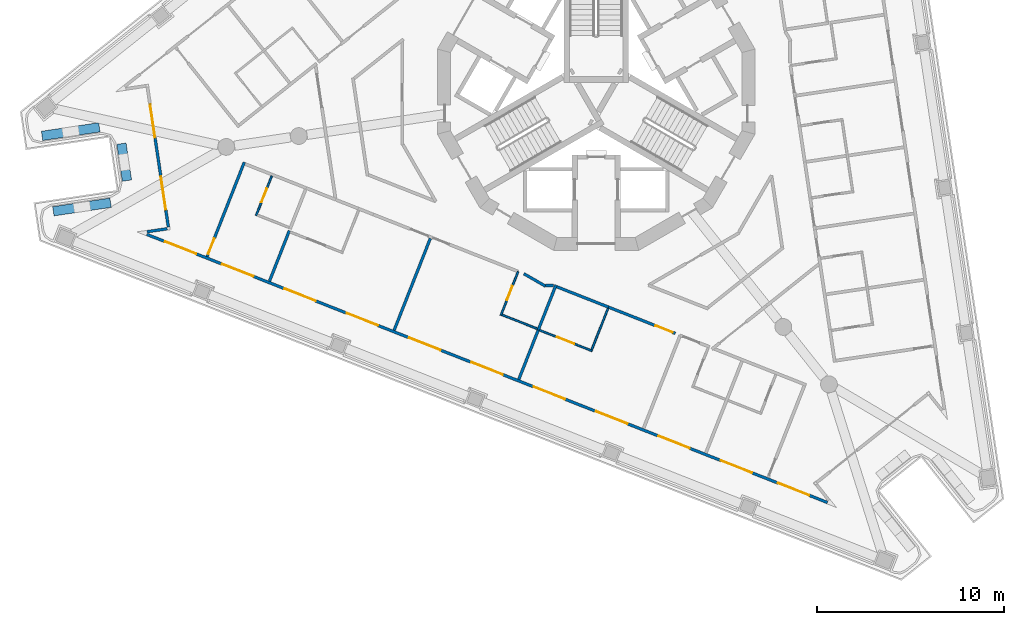
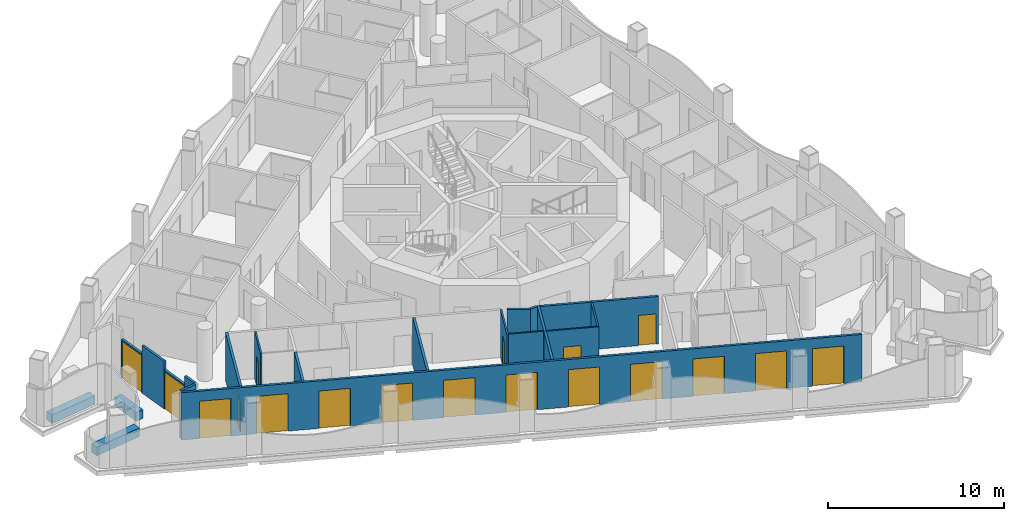
# One storey, part 2 of 16: 23 walls, 18 doors, 18 openings.
"""IFC4 building model written with IfcOpenShell, lengths in metres."""

from ifc_helpers import new_model, si_unit, direction, frame, frame_2d, origin, place, context, subcontext, project, spatial, polyline, rectangle, outline, extrude, material, layer, layer_set, type_object, element, fill, save


model = new_model("IFC4")

# Units and contexts
model_context = context("Model", 3, precision=1e-05, world=origin(), true_north=direction((0.0, 1.0)))
body_context = subcontext(model_context, "Body", "Model", "MODEL_VIEW")
ifc_project = project(units=[si_unit("LENGTHUNIT", "METRE"), si_unit("AREAUNIT", "SQUARE_METRE"), si_unit("VOLUMEUNIT", "CUBIC_METRE"), si_unit("PLANEANGLEUNIT", "RADIAN"), si_unit("MASSUNIT", "GRAM", prefix="KILO")], contexts=[model_context])

# Site, building, storey
site_placement = place(None, origin())
site = spatial("IfcSite", under=ifc_project, at=site_placement, CompositionType="ELEMENT")
building_placement = place(site_placement, origin())
building = spatial("IfcBuilding", under=site, at=building_placement, Name="Trine Commons Tower", CompositionType="ELEMENT")
storey_placement = place(building_placement, frame((0.0, 0.0, 223.199951171875)))
storey = spatial("IfcBuildingStorey", under=building, at=storey_placement, Name="L58", CompositionType="ELEMENT", Elevation=223.199951171875)

# Wall, openings, doors
ifc_material_1 = material(Name="Aluminium-framed insulated wall panel", Category="aluminium")
ifc_layer_1 = layer(ifc_material_1, 0.14990234375)
ifc_layer_set_1 = layer_set([ifc_layer_1], Name="Aluminium-framed insulated wall panel")
wall_type_1 = type_object("IfcWallType", Name="Glazed frame wall 150, EI 60", PredefinedType="SOLIDWALL", material=ifc_layer_set_1)
wall_1_placement = place(storey_placement, frame((92.513916015625, 40.4541015625, 0.0), z_axis=(0.0, 0.0, 1.0), x_axis=(-0.930417922313, 0.3665003272, 0.0)))
wall_1 = element("IfcWall", 1, at=wall_1_placement, inside=storey, type_object=wall_type_1, Name="Glazed frame wall F3", PredefinedType="SOLIDWALL", context=body_context, shape_type="SweptSolid", body=[
    extrude(outline(polyline([(0.1494140625, 0.074951171875), (0.1494140625, -0.074951171875), (39.296875, -0.074951171875), (39.296875, 0.074951171875), (0.1494140625, 0.074951171875)])), origin(), (0.0, 0.0, 1.0), 3.300048828125),
])
opening_1_placement = place(wall_1_placement, frame((1.193115234375, 0.0, 0.0)))
opening_1 = element("IfcOpeningElement", 2, at=opening_1_placement, cuts=wall_1, Name="Opening BD-6F3-01", PredefinedType="OPENING", context=body_context, shape_type="SweptSolid", body=[
    extrude(rectangle(XDim=1.800048828125, YDim=2.60009765625, at=frame_2d((0.89990234375, 1.300048828125))), frame((0.0, 0.0849609375, 0.0), z_axis=(0.0, -1.0, 0.0), x_axis=(1.0, 0.0, 0.0)), (0.0, 0.0, 1.0), 0.169921875),
])
opening_2_placement = place(wall_1_placement, frame((4.47900390625, 0.0, 0.0)))
opening_2 = element("IfcOpeningElement", 3, at=opening_2_placement, cuts=wall_1, Name="Opening BD-6F3-02", PredefinedType="OPENING", context=body_context, shape_type="SweptSolid", body=[
    extrude(rectangle(XDim=1.800048828125, YDim=2.60009765625, at=frame_2d((0.89990234375, 1.300048828125))), frame((0.0, 0.0849609375, 0.0), z_axis=(0.0, -1.0, 0.0), x_axis=(1.0, 0.0, 0.0)), (0.0, 0.0, 1.0), 0.169921875),
])
opening_3_placement = place(wall_1_placement, frame((8.06494140625, 0.0, 0.0)))
opening_3 = element("IfcOpeningElement", 4, at=opening_3_placement, cuts=wall_1, Name="Opening BD-6F3-03", PredefinedType="OPENING", context=body_context, shape_type="SweptSolid", body=[
    extrude(rectangle(XDim=1.800048828125, YDim=2.60009765625, at=frame_2d((0.89990234375, 1.300048828125))), frame((0.0, 0.0849609375, 0.0), z_axis=(0.0, -1.0, 0.0), x_axis=(1.0, 0.0, 0.0)), (0.0, 0.0, 1.0), 0.169921875),
])
opening_4_placement = place(wall_1_placement, frame((11.65087890625, 0.0, 0.0)))
opening_4 = element("IfcOpeningElement", 5, at=opening_4_placement, cuts=wall_1, Name="Opening BD-6F3-04", PredefinedType="OPENING", context=body_context, shape_type="SweptSolid", body=[
    extrude(rectangle(XDim=1.800048828125, YDim=2.60009765625, at=frame_2d((0.89990234375, 1.300048828125))), frame((0.0, 0.0849609375, 0.0), z_axis=(0.0, -1.0, 0.0), x_axis=(1.0, 0.0, 0.0)), (0.0, 0.0, 1.0), 0.169921875),
])
opening_5_placement = place(wall_1_placement, frame((15.237060546875, 0.0, 0.0)))
opening_5 = element("IfcOpeningElement", 6, at=opening_5_placement, cuts=wall_1, Name="Opening BD-6F3-05", PredefinedType="OPENING", context=body_context, shape_type="SweptSolid", body=[
    extrude(rectangle(XDim=1.800048828125, YDim=2.60009765625, at=frame_2d((0.89990234375, 1.300048828125))), frame((0.0, 0.0849609375, 0.0), z_axis=(0.0, -1.0, 0.0), x_axis=(1.0, 0.0, 0.0)), (0.0, 0.0, 1.0), 0.169921875),
])
opening_6_placement = place(wall_1_placement, frame((18.822998046875, 0.0, 0.0)))
opening_6 = element("IfcOpeningElement", 7, at=opening_6_placement, cuts=wall_1, Name="Opening BD-6F3-06", PredefinedType="OPENING", context=body_context, shape_type="SweptSolid", body=[
    extrude(rectangle(XDim=1.800048828125, YDim=2.60009765625, at=frame_2d((0.89990234375, 1.300048828125))), frame((0.0, 0.0849609375, 0.0), z_axis=(0.0, -1.0, 0.0), x_axis=(1.0, 0.0, 0.0)), (0.0, 0.0, 1.0), 0.169921875),
])
opening_7_placement = place(wall_1_placement, frame((22.408935546875, 0.0, 0.0)))
opening_7 = element("IfcOpeningElement", 8, at=opening_7_placement, cuts=wall_1, Name="Opening BD-6F3-07", PredefinedType="OPENING", context=body_context, shape_type="SweptSolid", body=[
    extrude(rectangle(XDim=1.800048828125, YDim=2.60009765625, at=frame_2d((0.89990234375, 1.300048828125))), frame((0.0, 0.0849609375, 0.0), z_axis=(0.0, -1.0, 0.0), x_axis=(1.0, 0.0, 0.0)), (0.0, 0.0, 1.0), 0.169921875),
])
opening_8_placement = place(wall_1_placement, frame((25.9951171875, 0.0, 0.0)))
opening_8 = element("IfcOpeningElement", 9, at=opening_8_placement, cuts=wall_1, Name="Opening BD-6F3-08", PredefinedType="OPENING", context=body_context, shape_type="SweptSolid", body=[
    extrude(rectangle(XDim=1.800048828125, YDim=2.60009765625, at=frame_2d((0.89990234375, 1.300048828125))), frame((0.0, 0.0849609375, 0.0), z_axis=(0.0, -1.0, 0.0), x_axis=(1.0, 0.0, 0.0)), (0.0, 0.0, 1.0), 0.169921875),
])
opening_9_placement = place(wall_1_placement, frame((29.5810546875, 0.0, 0.0)))
opening_9 = element("IfcOpeningElement", 10, at=opening_9_placement, cuts=wall_1, Name="Opening BD-6F3-09", PredefinedType="OPENING", context=body_context, shape_type="SweptSolid", body=[
    extrude(rectangle(XDim=1.800048828125, YDim=2.60009765625, at=frame_2d((0.89990234375, 1.300048828125))), frame((0.0, 0.0849609375, 0.0), z_axis=(0.0, -1.0, 0.0), x_axis=(1.0, 0.0, 0.0)), (0.0, 0.0, 1.0), 0.169921875),
])
opening_10_placement = place(wall_1_placement, frame((33.1669921875, 0.0, 0.0)))
opening_10 = element("IfcOpeningElement", 11, at=opening_10_placement, cuts=wall_1, Name="Opening BD-6F3-10", PredefinedType="OPENING", context=body_context, shape_type="SweptSolid", body=[
    extrude(rectangle(XDim=1.800048828125, YDim=2.60009765625, at=frame_2d((0.89990234375, 1.300048828125))), frame((0.0, 0.0849609375, 0.0), z_axis=(0.0, -1.0, 0.0), x_axis=(1.0, 0.0, 0.0)), (0.0, 0.0, 1.0), 0.169921875),
])
opening_11_placement = place(wall_1_placement, frame((36.452880859375, 0.0, 0.0)))
opening_11 = element("IfcOpeningElement", 12, at=opening_11_placement, cuts=wall_1, Name="Opening BD-6F3-11", PredefinedType="OPENING", context=body_context, shape_type="SweptSolid", body=[
    extrude(rectangle(XDim=1.800048828125, YDim=2.60009765625, at=frame_2d((0.89990234375, 1.300048828125))), frame((0.0, 0.0849609375, 0.0), z_axis=(0.0, -1.0, 0.0), x_axis=(1.0, 0.0, 0.0)), (0.0, 0.0, 1.0), 0.169921875),
])
ifc_material_2 = material(Name="Anodised aluminium frame with double glazing", Category="aluminium")
door_type_1 = type_object("IfcDoorType", Name="Sliding loggia door 1800x2600", OperationType="SLIDING_TO_LEFT", PredefinedType="DOOR", material=ifc_material_2)
door_1_placement = place(opening_1_placement, origin())
door_1 = element("IfcDoor", 13, at=door_1_placement, inside=storey, type_object=door_type_1, Name="Loggia door F3 1", OperationType="SLIDING_TO_LEFT", OverallHeight=2.60009765625, OverallWidth=1.800048828125, PredefinedType="DOOR", context=body_context, shape_type="SweptSolid", body=[
    extrude(rectangle(XDim=1.800048828125, YDim=2.60009765625, at=frame_2d((0.89990234375, 1.300048828125))), frame((0.0, 0.02490234375, 0.0), z_axis=(0.0, -1.0, 0.0), x_axis=(1.0, 0.0, 0.0)), (0.0, 0.0, 1.0), 0.050048828125),
])
fill(opening_1, door_1)
door_2_placement = place(opening_2_placement, origin())
door_2 = element("IfcDoor", 14, at=door_2_placement, inside=storey, type_object=door_type_1, Name="Loggia door F3 2", OperationType="SLIDING_TO_LEFT", OverallHeight=2.60009765625, OverallWidth=1.800048828125, PredefinedType="DOOR", context=body_context, shape_type="SweptSolid", body=[
    extrude(rectangle(XDim=1.800048828125, YDim=2.60009765625, at=frame_2d((0.89990234375, 1.300048828125))), frame((0.0, 0.02490234375, 0.0), z_axis=(0.0, -1.0, 0.0), x_axis=(1.0, 0.0, 0.0)), (0.0, 0.0, 1.0), 0.050048828125),
])
fill(opening_2, door_2)
door_3_placement = place(opening_3_placement, origin())
door_3 = element("IfcDoor", 15, at=door_3_placement, inside=storey, type_object=door_type_1, Name="Loggia door F3 3", OperationType="SLIDING_TO_LEFT", OverallHeight=2.60009765625, OverallWidth=1.800048828125, PredefinedType="DOOR", context=body_context, shape_type="SweptSolid", body=[
    extrude(rectangle(XDim=1.800048828125, YDim=2.60009765625, at=frame_2d((0.89990234375, 1.300048828125))), frame((0.0, 0.02490234375, 0.0), z_axis=(0.0, -1.0, 0.0), x_axis=(1.0, 0.0, 0.0)), (0.0, 0.0, 1.0), 0.050048828125),
])
fill(opening_3, door_3)
door_4_placement = place(opening_4_placement, origin())
door_4 = element("IfcDoor", 16, at=door_4_placement, inside=storey, type_object=door_type_1, Name="Loggia door F3 4", OperationType="SLIDING_TO_LEFT", OverallHeight=2.60009765625, OverallWidth=1.800048828125, PredefinedType="DOOR", context=body_context, shape_type="SweptSolid", body=[
    extrude(rectangle(XDim=1.800048828125, YDim=2.60009765625, at=frame_2d((0.89990234375, 1.300048828125))), frame((0.0, 0.02490234375, 0.0), z_axis=(0.0, -1.0, 0.0), x_axis=(1.0, 0.0, 0.0)), (0.0, 0.0, 1.0), 0.050048828125),
])
fill(opening_4, door_4)
door_5_placement = place(opening_5_placement, origin())
door_5 = element("IfcDoor", 17, at=door_5_placement, inside=storey, type_object=door_type_1, Name="Loggia door F3 5", OperationType="SLIDING_TO_LEFT", OverallHeight=2.60009765625, OverallWidth=1.800048828125, PredefinedType="DOOR", context=body_context, shape_type="SweptSolid", body=[
    extrude(rectangle(XDim=1.800048828125, YDim=2.60009765625, at=frame_2d((0.89990234375, 1.300048828125))), frame((0.0, 0.02490234375, 0.0), z_axis=(0.0, -1.0, 0.0), x_axis=(1.0, 0.0, 0.0)), (0.0, 0.0, 1.0), 0.050048828125),
])
fill(opening_5, door_5)
door_6_placement = place(opening_6_placement, origin())
door_6 = element("IfcDoor", 18, at=door_6_placement, inside=storey, type_object=door_type_1, Name="Loggia door F3 6", OperationType="SLIDING_TO_LEFT", OverallHeight=2.60009765625, OverallWidth=1.800048828125, PredefinedType="DOOR", context=body_context, shape_type="SweptSolid", body=[
    extrude(rectangle(XDim=1.800048828125, YDim=2.60009765625, at=frame_2d((0.89990234375, 1.300048828125))), frame((0.0, 0.02490234375, 0.0), z_axis=(0.0, -1.0, 0.0), x_axis=(1.0, 0.0, 0.0)), (0.0, 0.0, 1.0), 0.050048828125),
])
fill(opening_6, door_6)
door_7_placement = place(opening_7_placement, origin())
door_7 = element("IfcDoor", 19, at=door_7_placement, inside=storey, type_object=door_type_1, Name="Loggia door F3 7", OperationType="SLIDING_TO_LEFT", OverallHeight=2.60009765625, OverallWidth=1.800048828125, PredefinedType="DOOR", context=body_context, shape_type="SweptSolid", body=[
    extrude(rectangle(XDim=1.800048828125, YDim=2.60009765625, at=frame_2d((0.89990234375, 1.300048828125))), frame((0.0, 0.02490234375, 0.0), z_axis=(0.0, -1.0, 0.0), x_axis=(1.0, 0.0, 0.0)), (0.0, 0.0, 1.0), 0.050048828125),
])
fill(opening_7, door_7)
door_8_placement = place(opening_8_placement, origin())
door_8 = element("IfcDoor", 20, at=door_8_placement, inside=storey, type_object=door_type_1, Name="Loggia door F3 8", OperationType="SLIDING_TO_LEFT", OverallHeight=2.60009765625, OverallWidth=1.800048828125, PredefinedType="DOOR", context=body_context, shape_type="SweptSolid", body=[
    extrude(rectangle(XDim=1.800048828125, YDim=2.60009765625, at=frame_2d((0.89990234375, 1.300048828125))), frame((0.0, 0.02490234375, 0.0), z_axis=(0.0, -1.0, 0.0), x_axis=(1.0, 0.0, 0.0)), (0.0, 0.0, 1.0), 0.050048828125),
])
fill(opening_8, door_8)
door_9_placement = place(opening_9_placement, origin())
door_9 = element("IfcDoor", 21, at=door_9_placement, inside=storey, type_object=door_type_1, Name="Loggia door F3 9", OperationType="SLIDING_TO_LEFT", OverallHeight=2.60009765625, OverallWidth=1.800048828125, PredefinedType="DOOR", context=body_context, shape_type="SweptSolid", body=[
    extrude(rectangle(XDim=1.800048828125, YDim=2.60009765625, at=frame_2d((0.89990234375, 1.300048828125))), frame((0.0, 0.02490234375, 0.0), z_axis=(0.0, -1.0, 0.0), x_axis=(1.0, 0.0, 0.0)), (0.0, 0.0, 1.0), 0.050048828125),
])
fill(opening_9, door_9)
door_10_placement = place(opening_10_placement, origin())
door_10 = element("IfcDoor", 22, at=door_10_placement, inside=storey, type_object=door_type_1, Name="Loggia door F3 10", OperationType="SLIDING_TO_LEFT", OverallHeight=2.60009765625, OverallWidth=1.800048828125, PredefinedType="DOOR", context=body_context, shape_type="SweptSolid", body=[
    extrude(rectangle(XDim=1.800048828125, YDim=2.60009765625, at=frame_2d((0.89990234375, 1.300048828125))), frame((0.0, 0.02490234375, 0.0), z_axis=(0.0, -1.0, 0.0), x_axis=(1.0, 0.0, 0.0)), (0.0, 0.0, 1.0), 0.050048828125),
])
fill(opening_10, door_10)
door_11_placement = place(opening_11_placement, origin())
door_11 = element("IfcDoor", 23, at=door_11_placement, inside=storey, type_object=door_type_1, Name="Loggia door F3 11", OperationType="SLIDING_TO_LEFT", OverallHeight=2.60009765625, OverallWidth=1.800048828125, PredefinedType="DOOR", context=body_context, shape_type="SweptSolid", body=[
    extrude(rectangle(XDim=1.800048828125, YDim=2.60009765625, at=frame_2d((0.89990234375, 1.300048828125))), frame((0.0, 0.02490234375, 0.0), z_axis=(0.0, -1.0, 0.0), x_axis=(1.0, 0.0, 0.0)), (0.0, 0.0, 1.0), 0.050048828125),
])
fill(opening_11, door_11)

# Walls
wall_2_placement = place(storey_placement, frame((55.8203125, 54.978515625, 0.0), z_axis=(0.0, 0.0, 1.0), x_axis=(0.98902141065, 0.147772288596, 0.0)))
element("IfcWall", 24, at=wall_2_placement, inside=storey, type_object=wall_type_1, Name="Glazed frame wall R10", PredefinedType="SOLIDWALL", context=body_context, shape_type="SweptSolid", body=[
    extrude(outline(polyline([(0.1494140625, 0.074951171875), (0.1494140625, -0.074951171875), (1.235107421875, -0.074951171875), (1.235107421875, 0.074951171875), (0.1494140625, 0.074951171875)])), origin(), (0.0, 0.0, 1.0), 3.300048828125),
])
wall_3_placement = place(storey_placement, frame((57.12109375, 55.137451171875, 0.0), z_axis=(0.0, 0.0, 1.0), x_axis=(-0.147946480694, 0.988995368468, 0.0)))
element("IfcWall", 25, at=wall_3_placement, inside=storey, type_object=wall_type_1, Name="Glazed frame wall P3.1", PredefinedType="SOLIDWALL", context=body_context, shape_type="SweptSolid", body=[
    extrude(outline(polyline([(0.110107421875, -0.074951171875), (1.0, -0.074951171875), (1.0, 0.074951171875), (0.110107421875, 0.074951171875), (0.110107421875, -0.074951171875)])), origin(), (0.0, 0.0, 1.0), 3.300048828125),
])

# Wall, opening, door
wall_4_placement = place(storey_placement, frame((56.97314453125, 56.12646484375, 0.0), z_axis=(0.0, 0.0, 1.0), x_axis=(-0.147768643441, 0.989021955275, 0.0)))
wall_4 = element("IfcWall", 26, at=wall_4_placement, inside=storey, type_object=wall_type_1, Name="Glazed frame wall P3.2", PredefinedType="SOLIDWALL", context=body_context, shape_type="SweptSolid", body=[
    extrude(outline(polyline([(0.0, -0.074951171875), (1.89990234375, -0.074951171875), (1.89990234375, 0.074951171875), (0.0, 0.074951171875), (0.0, -0.074951171875)])), origin(), (0.0, 0.0, 1.0), 2.699951171875),
])
opening_12_placement = place(wall_4_placement, frame((0.050048828125, 0.0, 0.0)))
opening_12 = element("IfcOpeningElement", 27, at=opening_12_placement, cuts=wall_4, Name="Opening BD-6P3-01", PredefinedType="OPENING", context=body_context, shape_type="SweptSolid", body=[
    extrude(rectangle(XDim=1.800048828125, YDim=2.60009765625, at=frame_2d((0.89990234375, 1.300048828125))), frame((0.0, 0.0849609375, 0.0), z_axis=(0.0, -1.0, 0.0), x_axis=(1.0, 0.0, 0.0)), (0.0, 0.0, 1.0), 0.169921875),
])
door_12_placement = place(opening_12_placement, origin())
door_12 = element("IfcDoor", 28, at=door_12_placement, inside=storey, type_object=door_type_1, Name="Loggia door P3 1", OperationType="SLIDING_TO_LEFT", OverallHeight=2.60009765625, OverallWidth=1.800048828125, PredefinedType="DOOR", context=body_context, shape_type="SweptSolid", body=[
    extrude(rectangle(XDim=1.800048828125, YDim=2.60009765625, at=frame_2d((0.89990234375, 1.300048828125))), frame((0.0, 0.02490234375, 0.0), z_axis=(0.0, -1.0, 0.0), x_axis=(1.0, 0.0, 0.0)), (0.0, 0.0, 1.0), 0.050048828125),
])
fill(opening_12, door_12)

# Wall
wall_5_placement = place(storey_placement, frame((56.6923828125, 58.005615234375, 0.0), z_axis=(0.0, 0.0, 1.0), x_axis=(-0.147827081252, 0.989013222383, 0.0)))
element("IfcWall", 29, at=wall_5_placement, inside=storey, type_object=wall_type_1, Name="Glazed frame wall P3.3", PredefinedType="SOLIDWALL", context=body_context, shape_type="SweptSolid", body=[
    extrude(outline(polyline([(0.0, -0.074951171875), (2.0, -0.074951171875), (2.0, 0.074951171875), (0.0, 0.074951171875), (0.0, -0.074951171875)])), origin(), (0.0, 0.0, 1.0), 3.300048828125),
])

# Wall, opening, door
wall_6_placement = place(storey_placement, frame((56.396728515625, 59.983642578125, 0.0), z_axis=(0.0, 0.0, 1.0), x_axis=(-0.147768643441, 0.989021955275, 0.0)))
wall_6 = element("IfcWall", 30, at=wall_6_placement, inside=storey, type_object=wall_type_1, Name="Glazed frame wall P3.4", PredefinedType="SOLIDWALL", context=body_context, shape_type="SweptSolid", body=[
    extrude(outline(polyline([(0.0, -0.074951171875), (1.89990234375, -0.074951171875), (1.89990234375, 0.074951171875), (0.0, 0.074951171875), (0.0, -0.074951171875)])), origin(), (0.0, 0.0, 1.0), 2.699951171875),
])
opening_13_placement = place(wall_6_placement, frame((0.050048828125, 0.0, 0.0)))
opening_13 = element("IfcOpeningElement", 31, at=opening_13_placement, cuts=wall_6, Name="Opening BD-6P3-02", PredefinedType="OPENING", context=body_context, shape_type="SweptSolid", body=[
    extrude(rectangle(XDim=1.800048828125, YDim=2.60009765625, at=frame_2d((0.89990234375, 1.300048828125))), frame((0.0, 0.0849609375, 0.0), z_axis=(0.0, -1.0, 0.0), x_axis=(1.0, 0.0, 0.0)), (0.0, 0.0, 1.0), 0.169921875),
])
door_13_placement = place(opening_13_placement, origin())
door_13 = element("IfcDoor", 32, at=door_13_placement, inside=storey, type_object=door_type_1, Name="Loggia door P3 2", OperationType="SLIDING_TO_LEFT", OverallHeight=2.60009765625, OverallWidth=1.800048828125, PredefinedType="DOOR", context=body_context, shape_type="SweptSolid", body=[
    extrude(rectangle(XDim=1.800048828125, YDim=2.60009765625, at=frame_2d((0.89990234375, 1.300048828125))), frame((0.0, 0.02490234375, 0.0), z_axis=(0.0, -1.0, 0.0), x_axis=(1.0, 0.0, 0.0)), (0.0, 0.0, 1.0), 0.050048828125),
])
fill(opening_13, door_13)

# Walls
ifc_material_3 = material(Name="Planter trough, precast concrete C40/50", Category="concrete")
ifc_layer_2 = layer(ifc_material_3, 0.5)
ifc_layer_set_2 = layer_set([ifc_layer_2], Name="Planter trough, precast concrete C40/50")
wall_type_2 = type_object("IfcWallType", Name="Planter trough 500x600", PredefinedType="PARAPET", material=ifc_layer_set_2)
wall_7_placement = place(storey_placement, frame((50.94677734375, 56.09521484375, 0.0), z_axis=(0.0, 0.0, 1.0), x_axis=(0.989011904818, 0.147835895942, 0.0)))
element("IfcWall", 33, at=wall_7_placement, inside=storey, type_object=wall_type_2, Name="Planter 1", PredefinedType="PARAPET", context=body_context, shape_type="SweptSolid", body=[
    extrude(rectangle(XDim=3.099853515625, YDim=0.5, at=frame_2d((1.5498046875, 0.0))), origin(), (0.0, 0.0, 1.0), 0.60009765625),
])
wall_8_placement = place(storey_placement, frame((54.887451171875, 57.73583984375, 0.0), z_axis=(0.0, 0.0, 1.0), x_axis=(-0.147827081252, 0.989013222383, 0.0)))
element("IfcWall", 34, at=wall_8_placement, inside=storey, type_object=wall_type_2, Name="Planter 2", PredefinedType="PARAPET", context=body_context, shape_type="SweptSolid", body=[
    extrude(rectangle(XDim=2.0, YDim=0.5, at=frame_2d((1.0, 0.0))), origin(), (0.0, 0.0, 1.0), 0.60009765625),
])
wall_9_placement = place(storey_placement, frame((53.409423828125, 60.588623046875, 0.0), z_axis=(0.0, 0.0, 1.0), x_axis=(-0.989013625991, -0.147824380951, 0.0)))
element("IfcWall", 35, at=wall_9_placement, inside=storey, type_object=wall_type_2, Name="Planter 3", PredefinedType="PARAPET", context=body_context, shape_type="SweptSolid", body=[
    extrude(rectangle(XDim=3.099853515625, YDim=0.5, at=frame_2d((1.5498046875, 0.0))), origin(), (0.0, 0.0, 1.0), 0.60009765625),
])

# Wall, opening, door
ifc_material_4 = material(Name="Gypsum plasterboard on steel stud", Category="steel")
ifc_layer_3 = layer(ifc_material_4, 0.14990234375)
ifc_layer_set_3 = layer_set([ifc_layer_3], Name="Gypsum plasterboard on steel stud")
wall_type_3 = type_object("IfcWallType", Name="Unit and corridor wall 150 mm, EI 60", PredefinedType="PARTITIONING", material=ifc_layer_set_3)
wall_10_placement = place(storey_placement, frame((59.1767578125, 53.666259765625, 0.0), z_axis=(0.0, 0.0, 1.0), x_axis=(0.366413764384, 0.930452015565, 0.0)))
wall_10 = element("IfcWall", 36, at=wall_10_placement, inside=storey, type_object=wall_type_3, Name="Partition 002", PredefinedType="PARTITIONING", context=body_context, shape_type="SweptSolid", body=[
    extrude(rectangle(XDim=5.435546875, YDim=0.14990234375, at=frame_2d((2.7177734375, 0.0))), origin(), (0.0, 0.0, 1.0), 3.300048828125),
])
opening_14_placement = place(wall_10_placement, frame((0.14990234375, 0.0, 0.0)))
opening_14 = element("IfcOpeningElement", 37, at=opening_14_placement, cuts=wall_10, Name="Opening D-6C25", PredefinedType="OPENING", context=body_context, shape_type="SweptSolid", body=[
    extrude(rectangle(XDim=0.89990234375, YDim=2.10009765625, at=frame_2d((0.449951171875, 1.050048828125))), frame((0.0, 0.0849609375, 0.0), z_axis=(0.0, -1.0, 0.0), x_axis=(1.0, 0.0, 0.0)), (0.0, 0.0, 1.0), 0.169921875),
])
ifc_material_5 = material(Name="Timber fire door set", Category="wood")
door_type_2 = type_object("IfcDoorType", Name="Bedroom door 900 x 2100, FD30S", OperationType="NOTDEFINED", PredefinedType="DOOR", material=ifc_material_5)
door_14_placement = place(opening_14_placement, frame((0.89990234375, 0.0, 0.0), z_axis=(0.0, 0.0, 1.0), x_axis=(-1.0, 0.0, 0.0)))
door_14 = element("IfcDoor", 38, at=door_14_placement, inside=storey, type_object=door_type_2, Name="Door D-6C25", OperationType="SINGLE_SWING_RIGHT", OverallHeight=2.10009765625, OverallWidth=0.89990234375, PredefinedType="DOOR", context=body_context, shape_type="SweptSolid", body=[
    extrude(rectangle(XDim=0.89990234375, YDim=2.10009765625, at=frame_2d((0.449951171875, 1.050048828125))), frame((0.0, 0.02490234375, 0.0), z_axis=(0.0, -1.0, 0.0), x_axis=(1.0, 0.0, 0.0)), (0.0, 0.0, 1.0), 0.050048828125),
])
fill(opening_14, door_14)

# Walls
wall_11_placement = place(storey_placement, frame((62.513671875, 52.352294921875, 0.0), z_axis=(0.0, 0.0, 1.0), x_axis=(0.366277970919, 0.930505479844, 0.0)))
element("IfcWall", 39, at=wall_11_placement, inside=storey, type_object=wall_type_3, Name="Partition 011", PredefinedType="PARTITIONING", context=body_context, shape_type="SweptSolid", body=[
    extrude(rectangle(XDim=2.909423828125, YDim=0.14990234375, at=frame_2d((1.45458984375, 0.0))), origin(), (0.0, 0.0, 1.0), 3.300048828125),
])
wall_12_placement = place(storey_placement, frame((69.185791015625, 49.72412109375, 0.0), z_axis=(0.0, 0.0, 1.0), x_axis=(0.366646905319, 0.930360170482, 0.0)))
element("IfcWall", 40, at=wall_12_placement, inside=storey, type_object=wall_type_3, Name="Partition 030", PredefinedType="PARTITIONING", context=body_context, shape_type="SweptSolid", body=[
    extrude(rectangle(XDim=5.28515625, YDim=0.14990234375, at=frame_2d((2.642578125, 0.0))), origin(), (0.0, 0.0, 1.0), 3.300048828125),
])
wall_13_placement = place(storey_placement, frame((75.858642578125, 47.09521484375, 0.0), z_axis=(0.0, 0.0, 1.0), x_axis=(0.366568536594, 0.930391051107, 0.0)))
element("IfcWall", 41, at=wall_13_placement, inside=storey, type_object=wall_type_3, Name="Partition 040", PredefinedType="PARTITIONING", context=body_context, shape_type="SweptSolid", body=[
    extrude(rectangle(XDim=2.909912109375, YDim=0.14990234375, at=frame_2d((1.455078125, 0.0))), origin(), (0.0, 0.0, 1.0), 3.300048828125),
])
wall_14_placement = place(storey_placement, frame((76.131103515625, 52.75390625, 0.0), z_axis=(0.0, 0.0, 1.0), x_axis=(0.865910926182, -0.500198228624, 0.0)))
element("IfcWall", 42, at=wall_14_placement, inside=storey, type_object=wall_type_3, Name="Partition 041", PredefinedType="PARTITIONING", context=body_context, shape_type="SweptSolid", body=[
    extrude(rectangle(XDim=1.33251953125, YDim=0.14990234375, at=frame_2d((0.666259765625, 0.0))), origin(), (0.0, 0.0, 1.0), 3.300048828125),
])
wall_15_placement = place(storey_placement, frame((76.896728515625, 49.73046875, 0.0), z_axis=(0.0, 0.0, 1.0), x_axis=(0.366841902322, 0.930283300238, 0.0)))
element("IfcWall", 43, at=wall_15_placement, inside=storey, type_object=wall_type_3, Name="Partition 043", PredefinedType="PARTITIONING", context=body_context, shape_type="SweptSolid", body=[
    extrude(rectangle(XDim=2.602783203125, YDim=0.14990234375, at=frame_2d((1.30126953125, 0.0))), origin(), (0.0, 0.0, 1.0), 3.300048828125),
])
wall_16_placement = place(storey_placement, frame((77.294921875, 52.125, 0.0), z_axis=(0.0, 0.0, 1.0), x_axis=(1.0, 0.0, 0.0)))
element("IfcWall", 44, at=wall_16_placement, inside=storey, type_object=wall_type_3, Name="Partition 045", PredefinedType="PARTITIONING", context=body_context, shape_type="SweptSolid", body=[
    extrude(rectangle(XDim=0.43212890625, YDim=0.14990234375, at=frame_2d((0.216064453125, 0.0))), origin(), (0.0, 0.0, 1.0), 3.300048828125),
])
wall_17_placement = place(storey_placement, frame((77.890869140625, 52.056396484375, 0.0), z_axis=(0.0, 0.0, 1.0), x_axis=(0.930473535622, -0.366359112767, 0.0)))
element("IfcWall", 45, at=wall_17_placement, inside=storey, type_object=wall_type_3, Name="Partition 049", PredefinedType="PARTITIONING", context=body_context, shape_type="SweptSolid", body=[
    extrude(rectangle(XDim=2.9814453125, YDim=0.14990234375, at=frame_2d((1.49072265625, 0.0))), origin(), (0.0, 0.0, 1.0), 3.300048828125),
])

# Wall, opening, door
wall_18_placement = place(storey_placement, frame((80.611572265625, 50.9853515625, 0.0), z_axis=(0.0, 0.0, 1.0), x_axis=(0.930335237283, -0.366710166574, 0.0)))
wall_18 = element("IfcWall", 46, at=wall_18_placement, inside=storey, type_object=wall_type_3, Name="Partition 055", PredefinedType="PARTITIONING", context=body_context, shape_type="SweptSolid", body=[
    extrude(rectangle(XDim=3.89794921875, YDim=0.14990234375, at=frame_2d((1.948974609375, 0.0))), origin(), (0.0, 0.0, 1.0), 3.300048828125),
])
opening_15_placement = place(wall_18_placement, frame((2.748046875, 0.0, 0.0)))
opening_15 = element("IfcOpeningElement", 47, at=opening_15_placement, cuts=wall_18, Name="Opening D-6C22", PredefinedType="OPENING", context=body_context, shape_type="SweptSolid", body=[
    extrude(rectangle(XDim=1.0, YDim=2.10009765625, at=frame_2d((0.5, 1.050048828125))), frame((0.0, 0.0849609375, 0.0), z_axis=(0.0, -1.0, 0.0), x_axis=(1.0, 0.0, 0.0)), (0.0, 0.0, 1.0), 0.169921875),
])
door_type_3 = type_object("IfcDoorType", Name="Bedroom door 1000 x 2100, FD30S", OperationType="NOTDEFINED", PredefinedType="DOOR", material=ifc_material_5)
door_15_placement = place(opening_15_placement, frame((1.0, 0.0, 0.0), z_axis=(0.0, 0.0, 1.0), x_axis=(-1.0, 0.0, 0.0)))
door_15 = element("IfcDoor", 48, at=door_15_placement, inside=storey, type_object=door_type_3, Name="Door D-6C22", OperationType="SINGLE_SWING_LEFT", OverallHeight=2.10009765625, OverallWidth=1.0, PredefinedType="DOOR", context=body_context, shape_type="SweptSolid", body=[
    extrude(rectangle(XDim=1.0, YDim=2.10009765625, at=frame_2d((0.5, 1.050048828125))), frame((0.0, 0.02490234375, 0.0), z_axis=(0.0, -1.0, 0.0), x_axis=(1.0, 0.0, 0.0)), (0.0, 0.0, 1.0), 0.050048828125),
])
fill(opening_15, door_15)

ifc_layer_4 = layer(ifc_material_4, 0.10009765625)
ifc_layer_set_4 = layer_set([ifc_layer_4], Name="Gypsum plasterboard on steel stud")
wall_type_4 = type_object("IfcWallType", Name="Unit partition 100 mm, no rating", PredefinedType="PARTITIONING", material=ifc_layer_set_4)
wall_19_placement = place(storey_placement, frame((61.8017578125, 55.867431640625, 0.0), z_axis=(0.0, 0.0, 1.0), x_axis=(0.366482291334, 0.930425026608, 0.0)))
wall_19 = element("IfcWall", 49, at=wall_19_placement, inside=storey, type_object=wall_type_4, Name="Partition 008", PredefinedType="PARTITIONING", context=body_context, shape_type="SweptSolid", body=[
    extrude(rectangle(XDim=2.27490234375, YDim=0.10009765625, at=frame_2d((1.137451171875, 0.0))), origin(), (0.0, 0.0, 1.0), 3.300048828125),
])
opening_16_placement = place(wall_19_placement, frame((0.762451171875, 0.0, 0.0)))
opening_16 = element("IfcOpeningElement", 50, at=opening_16_placement, cuts=wall_19, Name="Opening D-6C48", PredefinedType="OPENING", context=body_context, shape_type="SweptSolid", body=[
    extrude(rectangle(XDim=0.800048828125, YDim=2.10009765625, at=frame_2d((0.39990234375, 1.050048828125))), frame((0.0, 0.06005859375, 0.0), z_axis=(0.0, -1.0, 0.0), x_axis=(1.0, 0.0, 0.0)), (0.0, 0.0, 1.0), 0.1201171875),
])
ifc_material_6 = material(Name="Painted timber", Category="wood")
door_type_4 = type_object("IfcDoorType", Name="Internal door 800 x 2100, NOT RATED", OperationType="NOTDEFINED", PredefinedType="DOOR", material=ifc_material_6)
door_16_placement = place(opening_16_placement, origin())
door_16 = element("IfcDoor", 51, at=door_16_placement, inside=storey, type_object=door_type_4, Name="Door D-6C48", OperationType="SINGLE_SWING_RIGHT", OverallHeight=2.10009765625, OverallWidth=0.800048828125, PredefinedType="DOOR", context=body_context, shape_type="SweptSolid", body=[
    extrude(rectangle(XDim=0.800048828125, YDim=2.10009765625, at=frame_2d((0.39990234375, 1.050048828125))), frame((0.0, 0.02490234375, 0.0), z_axis=(0.0, -1.0, 0.0), x_axis=(1.0, 0.0, 0.0)), (0.0, 0.0, 1.0), 0.050048828125),
])
fill(opening_16, door_16)

wall_20_placement = place(storey_placement, frame((74.898681640625, 50.5224609375, 0.0), z_axis=(0.0, 0.0, 1.0), x_axis=(0.366346829808, 0.930478371747, 0.0)))
wall_20 = element("IfcWall", 52, at=wall_20_placement, inside=storey, type_object=wall_type_4, Name="Partition 038", PredefinedType="PARTITIONING", context=body_context, shape_type="SweptSolid", body=[
    extrude(rectangle(XDim=2.52294921875, YDim=0.10009765625, at=frame_2d((1.261474609375, 0.0))), origin(), (0.0, 0.0, 1.0), 3.300048828125),
])
opening_17_placement = place(wall_20_placement, frame((0.886474609375, 0.0, 0.0)))
opening_17 = element("IfcOpeningElement", 53, at=opening_17_placement, cuts=wall_20, Name="Opening D-6C46", PredefinedType="OPENING", context=body_context, shape_type="SweptSolid", body=[
    extrude(rectangle(XDim=0.800048828125, YDim=2.10009765625, at=frame_2d((0.39990234375, 1.050048828125))), frame((0.0, 0.06005859375, 0.0), z_axis=(0.0, -1.0, 0.0), x_axis=(1.0, 0.0, 0.0)), (0.0, 0.0, 1.0), 0.1201171875),
])
door_17_placement = place(opening_17_placement, origin())
door_17 = element("IfcDoor", 54, at=door_17_placement, inside=storey, type_object=door_type_4, Name="Door D-6C46", OperationType="SINGLE_SWING_RIGHT", OverallHeight=2.10009765625, OverallWidth=0.800048828125, PredefinedType="DOOR", context=body_context, shape_type="SweptSolid", body=[
    extrude(rectangle(XDim=0.800048828125, YDim=2.10009765625, at=frame_2d((0.39990234375, 1.050048828125))), frame((0.0, 0.02490234375, 0.0), z_axis=(0.0, -1.0, 0.0), x_axis=(1.0, 0.0, 0.0)), (0.0, 0.0, 1.0), 0.050048828125),
])
fill(opening_17, door_17)

# Wall
wall_21_placement = place(storey_placement, frame((74.96337890625, 50.55078125, 0.0), z_axis=(0.0, 0.0, 1.0), x_axis=(0.930393439386, -0.366562474823, 0.0)))
element("IfcWall", 55, at=wall_21_placement, inside=storey, type_object=wall_type_4, Name="Partition 039", PredefinedType="PARTITIONING", context=body_context, shape_type="SweptSolid", body=[
    extrude(rectangle(XDim=2.024658203125, YDim=0.10009765625, at=frame_2d((1.01220703125, 0.0))), origin(), (0.0, 0.0, 1.0), 3.300048828125),
])

# Wall, opening, door
wall_22_placement = place(storey_placement, frame((76.976806640625, 49.728515625, 0.0), z_axis=(0.0, 0.0, 1.0), x_axis=(0.930510944634, -0.36626408767, 0.0)))
wall_22 = element("IfcWall", 56, at=wall_22_placement, inside=storey, type_object=wall_type_4, Name="Partition 042", PredefinedType="PARTITIONING", context=body_context, shape_type="SweptSolid", body=[
    extrude(rectangle(XDim=3.02490234375, YDim=0.10009765625, at=frame_2d((1.512451171875, 0.0))), origin(), (0.0, 0.0, 1.0), 3.300048828125),
])
opening_18_placement = place(wall_22_placement, frame((0.9873046875, 0.0, 0.0)))
opening_18 = element("IfcOpeningElement", 57, at=opening_18_placement, cuts=wall_22, Name="Opening D-6C45", PredefinedType="OPENING", context=body_context, shape_type="SweptSolid", body=[
    extrude(rectangle(XDim=1.0, YDim=2.10009765625, at=frame_2d((0.5, 1.050048828125))), frame((0.0, 0.06005859375, 0.0), z_axis=(0.0, -1.0, 0.0), x_axis=(1.0, 0.0, 0.0)), (0.0, 0.0, 1.0), 0.1201171875),
])
door_type_5 = type_object("IfcDoorType", Name="Internal door 1000 x 2100, NOT RATED", OperationType="NOTDEFINED", PredefinedType="DOOR", material=ifc_material_6)
door_18_placement = place(opening_18_placement, frame((1.0, 0.0, 0.0), z_axis=(0.0, 0.0, 1.0), x_axis=(-1.0, 0.0, 0.0)))
door_18 = element("IfcDoor", 58, at=door_18_placement, inside=storey, type_object=door_type_5, Name="Door D-6C45", OperationType="SINGLE_SWING_RIGHT", OverallHeight=2.10009765625, OverallWidth=1.0, PredefinedType="DOOR", context=body_context, shape_type="SweptSolid", body=[
    extrude(rectangle(XDim=1.0, YDim=2.10009765625, at=frame_2d((0.5, 1.050048828125))), frame((0.0, 0.02490234375, 0.0), z_axis=(0.0, -1.0, 0.0), x_axis=(1.0, 0.0, 0.0)), (0.0, 0.0, 1.0), 0.050048828125),
])
fill(opening_18, door_18)

# Wall
wall_23_placement = place(storey_placement, frame((79.76318359375, 48.685546875, 0.0), z_axis=(0.0, 0.0, 1.0), x_axis=(0.366475978777, 0.930427513017, 0.0)))
element("IfcWall", 59, at=wall_23_placement, inside=storey, type_object=wall_type_4, Name="Partition 052", PredefinedType="PARTITIONING", context=body_context, shape_type="SweptSolid", body=[
    extrude(rectangle(XDim=2.375, YDim=0.10009765625, at=frame_2d((1.1875, 0.0))), origin(), (0.0, 0.0, 1.0), 3.300048828125),
])

save(model, "model.ifc")
